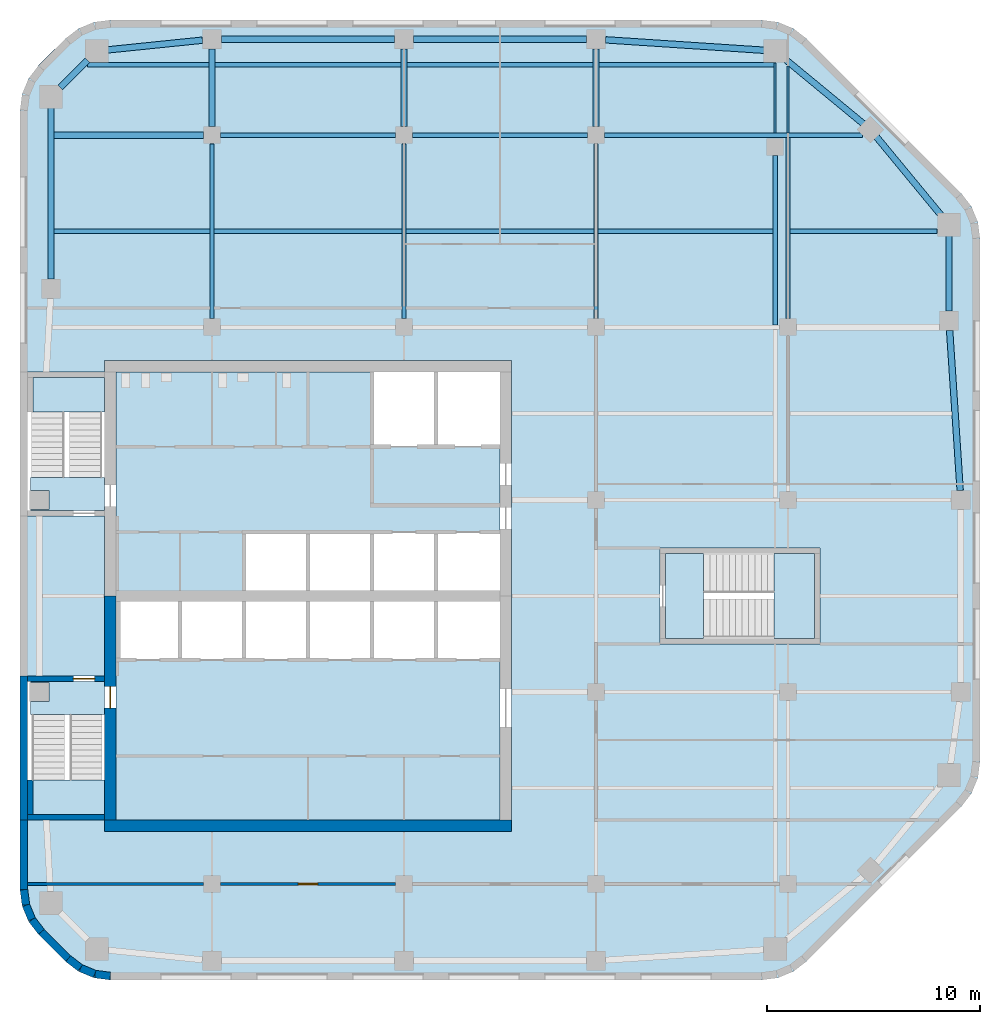
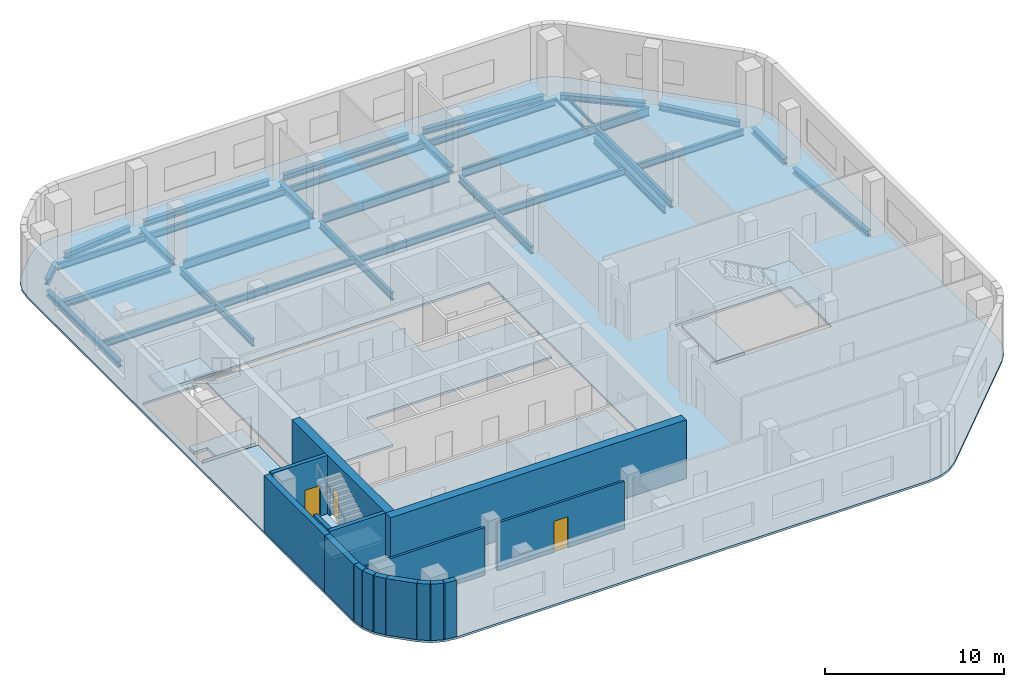
# One storey, part 2 of 8: 33 beams, 16 walls, 9 slabs, 3 doors, 3 openings, 3 elements without a shape of their own.
"""IFC4 building model written with IfcOpenShell, lengths in metres."""

from ifc_helpers import new_model, si_unit, direction, frame, frame_2d, origin, origin_2d, place, context, subcontext, project, spatial, polyline, rectangle, i_section, outline, extrude, material, layer, layer_set, material_profile, profile_set, type_object, element, fill, aggregate, save


model = new_model("IFC4")

# Units and contexts
model_context = context("Model", 3, precision=1e-05, world=origin(), true_north=direction((0.0, 1.0)))
body_context = subcontext(model_context, "Body", "Model", "MODEL_VIEW")
ifc_project = project(units=[si_unit("LENGTHUNIT", "METRE"), si_unit("AREAUNIT", "SQUARE_METRE"), si_unit("VOLUMEUNIT", "CUBIC_METRE"), si_unit("PLANEANGLEUNIT", "RADIAN"), si_unit("MASSUNIT", "GRAM", prefix="KILO")], contexts=[model_context])

# Site, building, storey
site_placement = place(None, origin())
site = spatial("IfcSite", under=ifc_project, at=site_placement, CompositionType="ELEMENT")
building_placement = place(site_placement, origin())
building = spatial("IfcBuilding", under=site, at=building_placement, Name="Cinnabar Reach Civic Tower", CompositionType="ELEMENT")
storey_placement = place(building_placement, frame((0.0, 0.0, 210.0)))
storey = spatial("IfcBuildingStorey", under=building, at=storey_placement, Name="L50", CompositionType="ELEMENT", Elevation=210.0)

# Beams
ifc_material_1 = material(Name="Steel Q355B", Category="steel")
ifc_material_profile_1 = material_profile(ifc_material_1, i_section(OverallWidth=0.3, OverallDepth=0.39, WebThickness=0.01, FlangeThickness=0.016, FilletRadius=0.013, at=origin_2d()), Name="HM390x300x10x16")
ifc_profile_set_1 = profile_set([ifc_material_profile_1], Name="Steel Q355B")
beam_type_1 = type_object("IfcBeamType", Name="HM390x300x10x16 beam R 180", PredefinedType="BEAM", material=ifc_profile_set_1)
beam_1_placement = place(storey_placement, frame((44.0702, 36.452, -0.345), z_axis=(-0.065709484267, 0.997838796438, 0.0), x_axis=(-0.997838796438, -0.065709484267, 0.0)))
element("IfcBeam", 1, at=beam_1_placement, inside=storey, type_object=beam_type_1, Name="Edge beam T1 L50 9", PredefinedType="BEAM", context=body_context, shape_type="SweptSolid", body=[
    extrude(i_section(OverallWidth=0.3, OverallDepth=0.39, WebThickness=0.01, FlangeThickness=0.016, FilletRadius=0.013, at=origin_2d()), origin(), (0.0, 0.0, 1.0), 7.5103),
])
beam_2_placement = place(storey_placement, frame((43.5469, 44.8501, -0.345), z_axis=(0.0, 1.0, 0.0), x_axis=(-1.0, 0.0, 0.0)))
element("IfcBeam", 2, at=beam_2_placement, inside=storey, type_object=beam_type_1, Name="Edge beam T1 L50 10", PredefinedType="BEAM", context=body_context, shape_type="SweptSolid", body=[
    extrude(i_section(OverallWidth=0.3, OverallDepth=0.39, WebThickness=0.01, FlangeThickness=0.016, FilletRadius=0.013, at=origin_2d()), origin(), (0.0, 0.0, 1.0), 3.616),
])
for number, where, z_axis, x_axis, name in (
    (3, (43.1906, 49.3301, -0.345), (-0.63630880182, 0.771434448755, 0.0), (-0.771434448755, -0.63630880182, 0.0), "Edge beam T1 L50 11"),
    (4, (39.5598, 53.6142, -0.345), (-0.771434448755, 0.63630880182, 0.0), (-0.63630880182, -0.771434448755, 0.0), "Edge beam T1 L50 12"),
):
    element("IfcBeam", number, at=place(storey_placement, frame(where, z_axis=z_axis, x_axis=x_axis)), inside=storey, type_object=beam_type_1, Name=name, PredefinedType="BEAM", context=body_context, shape_type="SweptSolid", body=[
        extrude(i_section(OverallWidth=0.3, OverallDepth=0.39, WebThickness=0.01, FlangeThickness=0.016, FilletRadius=0.013, at=origin_2d()), origin(), (0.0, 0.0, 1.0), 4.8348),
    ])
beam_3_placement = place(storey_placement, frame((34.9661, 57.0754, -0.345), z_axis=(-0.99783894477, 0.065707231721, 0.0), x_axis=(-0.065707231721, -0.99783894477, 0.0)))
element("IfcBeam", 5, at=beam_3_placement, inside=storey, type_object=beam_type_1, Name="Edge beam T1 L50 13", PredefinedType="BEAM", context=body_context, shape_type="SweptSolid", body=[
    extrude(i_section(OverallWidth=0.3, OverallDepth=0.39, WebThickness=0.01, FlangeThickness=0.016, FilletRadius=0.013, at=origin_2d()), origin(), (0.0, 0.0, 1.0), 7.5304),
])
for number, where, z_axis, x_axis, name in (
    (6, (26.548, 57.6, -0.345), (-1.0, 0.0, 0.0), (0.0, -1.0, 0.0), "Edge beam T1 L50 14"),
    (7, (17.548, 57.6, -0.345), (-1.0, 0.0, 0.0), (0.0, -1.0, 0.0), "Edge beam T1 L50 15"),
):
    element("IfcBeam", number, at=place(storey_placement, frame(where, z_axis=z_axis, x_axis=x_axis)), inside=storey, type_object=beam_type_1, Name=name, PredefinedType="BEAM", context=body_context, shape_type="SweptSolid", body=[
        extrude(i_section(OverallWidth=0.3, OverallDepth=0.39, WebThickness=0.01, FlangeThickness=0.016, FilletRadius=0.013, at=origin_2d()), origin(), (0.0, 0.0, 1.0), 8.096),
    ])
beam_4_placement = place(storey_placement, frame((8.548, 57.5537, -0.345), z_axis=(-0.994792272495, -0.101923179821, 0.0), x_axis=(0.101923179821, -0.994792272495, 0.0)))
element("IfcBeam", 8, at=beam_4_placement, inside=storey, type_object=beam_type_1, Name="Edge beam T1 L50 16", PredefinedType="BEAM", context=body_context, shape_type="SweptSolid", body=[
    extrude(i_section(OverallWidth=0.3, OverallDepth=0.39, WebThickness=0.01, FlangeThickness=0.016, FilletRadius=0.013, at=origin_2d()), origin(), (0.0, 0.0, 1.0), 4.5377),
])
beam_5_placement = place(storey_placement, frame((3.1699, 56.6149, -0.345), z_axis=(-0.707106781187, -0.707106781187, 0.0), x_axis=(0.707106781187, -0.707106781187, 0.0)))
element("IfcBeam", 9, at=beam_5_placement, inside=storey, type_object=beam_type_1, Name="Edge beam T1 L50 17", PredefinedType="BEAM", context=body_context, shape_type="SweptSolid", body=[
    extrude(i_section(OverallWidth=0.3, OverallDepth=0.39, WebThickness=0.01, FlangeThickness=0.016, FilletRadius=0.013, at=origin_2d()), origin(), (0.0, 0.0, 1.0), 1.817),
])
beam_6_placement = place(storey_placement, frame((1.4531, 54.4661, -0.345), z_axis=(0.0, -1.0, 0.0), x_axis=(1.0, 0.0, 0.0)))
element("IfcBeam", 10, at=beam_6_placement, inside=storey, type_object=beam_type_1, Name="Edge beam T1 L50 18", PredefinedType="BEAM", context=body_context, shape_type="SweptSolid", body=[
    extrude(i_section(OverallWidth=0.3, OverallDepth=0.39, WebThickness=0.01, FlangeThickness=0.016, FilletRadius=0.013, at=origin_2d()), origin(), (0.0, 0.0, 1.0), 8.116),
])
ifc_material_profile_2 = material_profile(ifc_material_1, i_section(OverallWidth=0.3, OverallDepth=0.44, WebThickness=0.011, FlangeThickness=0.018, FilletRadius=0.016, at=origin_2d()), Name="HM440x300x11x18")
ifc_profile_set_2 = profile_set([ifc_material_profile_2], Name="Steel Q355B")
beam_type_2 = type_object("IfcBeamType", Name="HM440x300x11x18 beam R 180", PredefinedType="BEAM", material=ifc_profile_set_2)
beam_7_placement = place(storey_placement, frame((1.6051, 53.1, -0.37), z_axis=(1.0, 0.0, 0.0), x_axis=(0.0, 1.0, 0.0)))
element("IfcBeam", 11, at=beam_7_placement, inside=storey, type_object=beam_type_2, Name="Girder T1 L50 17", PredefinedType="BEAM", context=body_context, shape_type="SweptSolid", body=[
    extrude(i_section(OverallWidth=0.3, OverallDepth=0.44, WebThickness=0.011, FlangeThickness=0.018, FilletRadius=0.016, at=origin_2d()), origin(), (0.0, 0.0, 1.0), 6.9929),
])
for number, where, z_axis, x_axis, name in (
    (12, (9.0, 53.502, -0.37), (0.0, 1.0, 0.0), (-1.0, 0.0, 0.0), "Girder T1 L50 5"),
    (13, (18.0, 53.502, -0.37), (0.0, 1.0, 0.0), (-1.0, 0.0, 0.0), "Girder T1 L50 10"),
    (14, (27.0, 53.502, -0.37), (0.0, 1.0, 0.0), (-1.0, 0.0, 0.0), "Girder T1 L50 16"),
):
    element("IfcBeam", number, at=place(storey_placement, frame(where, z_axis=z_axis, x_axis=x_axis)), inside=storey, type_object=beam_type_2, Name=name, PredefinedType="BEAM", context=body_context, shape_type="SweptSolid", body=[
        extrude(i_section(OverallWidth=0.3, OverallDepth=0.44, WebThickness=0.011, FlangeThickness=0.018, FilletRadius=0.016, at=origin_2d()), origin(), (0.0, 0.0, 1.0), 3.646),
    ])
ifc_material_profile_3 = material_profile(ifc_material_1, i_section(OverallWidth=0.099, OverallDepth=0.198, WebThickness=0.0045, FlangeThickness=0.007, FilletRadius=0.013, at=origin_2d()), Name="HN200x100x5.5x8")
ifc_profile_set_3 = profile_set([ifc_material_profile_3], Name="Steel Q355B")
beam_type_3 = type_object("IfcBeamType", Name="HN200x100x5.5x8 beam R 180", PredefinedType="BEAM", material=ifc_profile_set_3)
beam_8_placement = place(storey_placement, frame((35.3981, 53.2015, -0.249), z_axis=(0.0, 1.0, 0.0), x_axis=(-1.0, 0.0, 0.0)))
element("IfcBeam", 15, at=beam_8_placement, inside=storey, type_object=beam_type_3, Name="Girder T1 L50 23", PredefinedType="BEAM", context=body_context, shape_type="SweptSolid", body=[
    extrude(i_section(OverallWidth=0.099, OverallDepth=0.198, WebThickness=0.0045, FlangeThickness=0.007, FilletRadius=0.013, at=origin_2d()), origin(), (0.0, 0.0, 1.0), 3.2934),
])
beam_9_placement = place(storey_placement, frame((36.0, 53.2015, -0.249), z_axis=(0.0, 1.0, 0.0), x_axis=(-1.0, 0.0, 0.0)))
element("IfcBeam", 16, at=beam_9_placement, inside=storey, type_object=beam_type_3, Name="Girder T1 L50 30", PredefinedType="BEAM", context=body_context, shape_type="SweptSolid", body=[
    extrude(i_section(OverallWidth=0.099, OverallDepth=0.198, WebThickness=0.0045, FlangeThickness=0.007, FilletRadius=0.013, at=origin_2d()), origin(), (0.0, 0.0, 1.0), 3.1519),
])
ifc_material_profile_4 = material_profile(ifc_material_1, i_section(OverallWidth=0.199, OverallDepth=0.446, WebThickness=0.008, FlangeThickness=0.012, FilletRadius=0.016, at=origin_2d()), Name="HN446x199x8x12")
ifc_profile_set_4 = profile_set([ifc_material_profile_4], Name="Steel Q355B")
beam_type_4 = type_object("IfcBeamType", Name="HN446x199x8x12 beam R 180", PredefinedType="BEAM", material=ifc_profile_set_4)
beam_10_placement = place(storey_placement, frame((1.6051, 48.6, -0.373), z_axis=(1.0, 0.0, 0.0), x_axis=(0.0, 1.0, 0.0)))
element("IfcBeam", 17, at=beam_10_placement, inside=storey, type_object=beam_type_4, Name="Secondary beam T1 L50 11", PredefinedType="BEAM", context=body_context, shape_type="SweptSolid", body=[
    extrude(i_section(OverallWidth=0.199, OverallDepth=0.446, WebThickness=0.008, FlangeThickness=0.012, FilletRadius=0.016, at=origin_2d()), origin(), (0.0, 0.0, 1.0), 7.2929),
])
for number, where, z_axis, x_axis, name in (
    (18, (9.102, 48.6, -0.373), (1.0, 0.0, 0.0), (0.0, 1.0, 0.0), "Secondary beam T1 L50 12"),
    (19, (18.102, 48.6, -0.373), (1.0, 0.0, 0.0), (0.0, 1.0, 0.0), "Secondary beam T1 L50 13"),
):
    element("IfcBeam", number, at=place(storey_placement, frame(where, z_axis=z_axis, x_axis=x_axis)), inside=storey, type_object=beam_type_4, Name=name, PredefinedType="BEAM", context=body_context, shape_type="SweptSolid", body=[
        extrude(i_section(OverallWidth=0.199, OverallDepth=0.446, WebThickness=0.008, FlangeThickness=0.012, FilletRadius=0.016, at=origin_2d()), origin(), (0.0, 0.0, 1.0), 8.796),
    ])
beam_11_placement = place(storey_placement, frame((27.102, 48.6, -0.373), z_axis=(1.0, 0.0, 0.0), x_axis=(0.0, 1.0, 0.0)))
element("IfcBeam", 20, at=beam_11_placement, inside=storey, type_object=beam_type_4, Name="Secondary beam T1 L50 14", PredefinedType="BEAM", context=body_context, shape_type="SweptSolid", body=[
    extrude(i_section(OverallWidth=0.199, OverallDepth=0.446, WebThickness=0.008, FlangeThickness=0.012, FilletRadius=0.016, at=origin_2d()), origin(), (0.0, 0.0, 1.0), 8.1941),
])
beam_12_placement = place(storey_placement, frame((36.102, 48.6, -0.373), z_axis=(1.0, 0.0, 0.0), x_axis=(0.0, 1.0, 0.0)))
element("IfcBeam", 21, at=beam_12_placement, inside=storey, type_object=beam_type_4, Name="Secondary beam T1 L50 15", PredefinedType="BEAM", context=body_context, shape_type="SweptSolid", body=[
    extrude(i_section(OverallWidth=0.199, OverallDepth=0.446, WebThickness=0.008, FlangeThickness=0.012, FilletRadius=0.016, at=origin_2d()), origin(), (0.0, 0.0, 1.0), 6.8929),
])
beam_13_placement = place(storey_placement, frame((3.17, 56.4, -0.373), z_axis=(1.0, 0.0, 0.0), x_axis=(0.0, 1.0, 0.0)))
element("IfcBeam", 22, at=beam_13_placement, inside=storey, type_object=beam_type_4, Name="Secondary beam T1 L50 16", PredefinedType="BEAM", context=body_context, shape_type="SweptSolid", body=[
    extrude(i_section(OverallWidth=0.199, OverallDepth=0.446, WebThickness=0.008, FlangeThickness=0.012, FilletRadius=0.016, at=origin_2d()), origin(), (0.0, 0.0, 1.0), 5.678),
])
for number, where, z_axis, x_axis, name in (
    (23, (9.152, 56.4, -0.373), (1.0, 0.0, 0.0), (0.0, 1.0, 0.0), "Secondary beam T1 L50 17"),
    (24, (18.152, 56.4, -0.373), (1.0, 0.0, 0.0), (0.0, 1.0, 0.0), "Secondary beam T1 L50 18"),
):
    element("IfcBeam", number, at=place(storey_placement, frame(where, z_axis=z_axis, x_axis=x_axis)), inside=storey, type_object=beam_type_4, Name=name, PredefinedType="BEAM", context=body_context, shape_type="SweptSolid", body=[
        extrude(i_section(OverallWidth=0.199, OverallDepth=0.446, WebThickness=0.008, FlangeThickness=0.012, FilletRadius=0.016, at=origin_2d()), origin(), (0.0, 0.0, 1.0), 8.696),
    ])
beam_14_placement = place(storey_placement, frame((27.152, 56.4, -0.373), z_axis=(1.0, 0.0, 0.0), x_axis=(0.0, 1.0, 0.0)))
element("IfcBeam", 25, at=beam_14_placement, inside=storey, type_object=beam_type_4, Name="Secondary beam T1 L50 19", PredefinedType="BEAM", context=body_context, shape_type="SweptSolid", body=[
    extrude(i_section(OverallWidth=0.199, OverallDepth=0.446, WebThickness=0.008, FlangeThickness=0.012, FilletRadius=0.016, at=origin_2d()), origin(), (0.0, 0.0, 1.0), 8.1946),
])
ifc_material_profile_5 = material_profile(ifc_material_1, i_section(OverallWidth=0.2, OverallDepth=0.5, WebThickness=0.01, FlangeThickness=0.016, FilletRadius=0.016, at=origin_2d()), Name="HN500x200x10x16")
ifc_profile_set_5 = profile_set([ifc_material_profile_5], Name="Steel Q355B")
beam_type_5 = type_object("IfcBeamType", Name="HN500x200x10x16 beam R 180", PredefinedType="BEAM", material=ifc_profile_set_5)
for number, where, z_axis, x_axis, name in (
    (26, (9.0, 44.502, -0.4), (0.0, 1.0, 0.0), (-1.0, 0.0, 0.0), "Girder T1 L50 4"),
    (27, (18.0, 44.502, -0.4), (0.0, 1.0, 0.0), (-1.0, 0.0, 0.0), "Girder T1 L50 9"),
    (28, (27.0, 44.502, -0.4), (0.0, 1.0, 0.0), (-1.0, 0.0, 0.0), "Girder T1 L50 15"),
):
    element("IfcBeam", number, at=place(storey_placement, frame(where, z_axis=z_axis, x_axis=x_axis)), inside=storey, type_object=beam_type_5, Name=name, PredefinedType="BEAM", context=body_context, shape_type="SweptSolid", body=[
        extrude(i_section(OverallWidth=0.2, OverallDepth=0.5, WebThickness=0.01, FlangeThickness=0.016, FilletRadius=0.016, at=origin_2d()), origin(), (0.0, 0.0, 1.0), 8.196),
    ])
beam_15_placement = place(storey_placement, frame((35.3981, 44.2015, -0.4), z_axis=(0.0, 1.0, 0.0), x_axis=(-1.0, 0.0, 0.0)))
element("IfcBeam", 29, at=beam_15_placement, inside=storey, type_object=beam_type_5, Name="Girder T1 L50 22", PredefinedType="BEAM", context=body_context, shape_type="SweptSolid", body=[
    extrude(i_section(OverallWidth=0.2, OverallDepth=0.5, WebThickness=0.01, FlangeThickness=0.016, FilletRadius=0.016, at=origin_2d()), origin(), (0.0, 0.0, 1.0), 7.9434),
])
beam_16_placement = place(storey_placement, frame((36.0, 44.502, -0.4), z_axis=(0.0, 1.0, 0.0), x_axis=(-1.0, 0.0, 0.0)))
element("IfcBeam", 30, at=beam_16_placement, inside=storey, type_object=beam_type_5, Name="Girder T1 L50 29", PredefinedType="BEAM", context=body_context, shape_type="SweptSolid", body=[
    extrude(i_section(OverallWidth=0.2, OverallDepth=0.5, WebThickness=0.01, FlangeThickness=0.016, FilletRadius=0.016, at=origin_2d()), origin(), (0.0, 0.0, 1.0), 8.4965),
])
ifc_material_profile_6 = material_profile(ifc_material_1, i_section(OverallWidth=0.199, OverallDepth=0.596, WebThickness=0.01, FlangeThickness=0.015, FilletRadius=0.016, at=origin_2d()), Name="HN596x199x10x15")
ifc_profile_set_6 = profile_set([ifc_material_profile_6], Name="Steel Q355B")
beam_type_6 = type_object("IfcBeamType", Name="HN596x199x10x15 beam R 180", PredefinedType="BEAM", material=ifc_profile_set_6)
for number, where, z_axis, x_axis, name in (
    (31, (9.402, 53.1, -0.448), (1.0, 0.0, 0.0), (0.0, 1.0, 0.0), "Girder T1 L50 18"),
    (32, (18.402, 53.1, -0.448), (1.0, 0.0, 0.0), (0.0, 1.0, 0.0), "Girder T1 L50 19"),
):
    element("IfcBeam", number, at=place(storey_placement, frame(where, z_axis=z_axis, x_axis=x_axis)), inside=storey, type_object=beam_type_6, Name=name, PredefinedType="BEAM", context=body_context, shape_type="SweptSolid", body=[
        extrude(i_section(OverallWidth=0.199, OverallDepth=0.596, WebThickness=0.01, FlangeThickness=0.015, FilletRadius=0.016, at=origin_2d()), origin(), (0.0, 0.0, 1.0), 8.196),
    ])
beam_17_placement = place(storey_placement, frame((27.402, 53.1, -0.448), z_axis=(1.0, 0.0, 0.0), x_axis=(0.0, 1.0, 0.0)))
element("IfcBeam", 33, at=beam_17_placement, inside=storey, type_object=beam_type_6, Name="Girder T1 L50 20", PredefinedType="BEAM", context=body_context, shape_type="SweptSolid", body=[
    extrude(i_section(OverallWidth=0.199, OverallDepth=0.596, WebThickness=0.01, FlangeThickness=0.015, FilletRadius=0.016, at=origin_2d()), origin(), (0.0, 0.0, 1.0), 12.086),
])

# Slab
ifc_material_2 = material(Name="Concrete C40", Category="concrete")
ifc_layer_1 = layer(ifc_material_2, 0.15)
ifc_layer_set_1 = layer_set([ifc_layer_1], Name="Composite floor slab 150 REI 150")
slab_type_1 = type_object("IfcSlabType", Name="Composite floor slab 150 REI 150", PredefinedType="FLOOR", material=ifc_layer_set_1)
slab_1_placement = place(storey_placement, frame((0.0, 0.0, -0.15)))
element("IfcSlab", 34, at=slab_1_placement, inside=storey, type_object=slab_type_1, Name="Composite floor slab 150 T1 L50", PredefinedType="FLOOR", context=body_context, shape_type="SweptSolid", body=[
    extrude(outline(polyline([(0.8787, 15.6213), (0.4019, 16.2426), (0.1022, 16.9662), (0.0, 17.7426), (0.0, 54.2574), (0.1022, 55.0338), (0.4019, 55.7574), (0.8787, 56.3787), (2.1213, 57.6213), (2.7426, 58.0981), (3.4662, 58.3978), (4.2426, 58.5), (34.7574, 58.5), (35.5338, 58.3978), (36.2574, 58.0981), (36.8787, 57.6213), (44.1213, 50.3787), (44.5981, 49.7574), (44.8978, 49.0338), (45.0, 48.2574), (45.0, 23.7426), (44.8978, 22.9662), (44.5981, 22.2426), (44.1213, 21.6213), (36.8787, 14.3787), (36.2574, 13.9019), (35.5338, 13.6022), (34.7574, 13.5), (4.2426, 13.5), (3.4662, 13.6022), (2.7426, 13.9019), (2.1213, 14.3787), (0.8787, 15.6213)]), holes=[polyline([(0.36, 21.0), (3.95, 21.0), (3.95, 20.45), (23.05, 20.45), (23.05, 42.55), (3.95, 42.55), (3.95, 42.0), (0.36, 42.0), (0.36, 35.25), (3.95, 35.25), (3.95, 27.75), (0.36, 27.75), (0.36, 21.0)]), polyline([(30.0, 33.75), (30.0, 29.25), (37.5, 29.25), (37.5, 33.75), (30.0, 33.75)])]), origin(), (0.0, 0.0, 1.0), 0.15),
])

# Stair, slabs
ifc_material_3 = material(Name="Concrete C40/50", Category="concrete")
stair_type = type_object("IfcStairType", Name="T1 Exit stair, half-turn", PredefinedType="HALF_TURN_STAIR", material=ifc_material_3)
stair_1_placement = place(storey_placement, origin())
stair_1 = element("IfcStair", 35, at=stair_1_placement, inside=storey, type_object=stair_type, Name="Stair T1-S1", PredefinedType="HALF_TURN_STAIR")
ifc_layer_2 = layer(ifc_material_3, 0.2)
ifc_layer_set_2 = layer_set([ifc_layer_2], Name="T1 Stair landing 200, Concrete C40/50")
slab_type_2 = type_object("IfcSlabType", Name="T1 Stair landing 200, Concrete C40/50", PredefinedType="LANDING", material=ifc_layer_set_2)
slab_2_placement = place(storey_placement, frame((0.0, 0.0, -0.2)))
slab_2 = element("IfcSlab", 36, at=slab_2_placement, type_object=slab_type_2, Name="T1-S1 landing 1", PredefinedType="LANDING", context=body_context, shape_type="SweptSolid", body=[
    extrude(outline(polyline([(0.5, 27.5), (3.95, 27.5), (3.95, 25.95), (0.5, 25.95), (0.5, 26.55), (1.35, 26.55), (1.35, 27.45), (0.5, 27.45), (0.5, 27.5)])), origin(), (0.0, 0.0, 1.0), 0.2),
])
slab_3_placement = place(storey_placement, frame((0.0, 0.0, 1.8)))
slab_3 = element("IfcSlab", 37, at=slab_3_placement, type_object=slab_type_2, Name="T1-S1 landing 2", PredefinedType="LANDING", context=body_context, shape_type="SweptSolid", body=[
    extrude(outline(polyline([(0.6, 21.25), (0.6, 22.87), (3.95, 22.87), (3.95, 21.25), (0.6, 21.25)])), origin(), (0.0, 0.0, 1.0), 0.2),
])
aggregate(stair_1, [slab_2, slab_3])

stair_2_placement = place(storey_placement, origin())
stair_2 = element("IfcStair", 38, at=stair_2_placement, inside=storey, type_object=stair_type, Name="Stair T1-S2", PredefinedType="HALF_TURN_STAIR")
slab_4_placement = place(storey_placement, frame((0.0, 0.0, -0.2)))
slab_4 = element("IfcSlab", 39, at=slab_4_placement, type_object=slab_type_2, Name="T1-S2 landing 1", PredefinedType="LANDING", context=body_context, shape_type="SweptSolid", body=[
    extrude(outline(polyline([(0.5, 37.05), (3.95, 37.05), (3.95, 35.5), (0.5, 35.5), (0.5, 35.55), (1.35, 35.55), (1.35, 36.45), (0.5, 36.45), (0.5, 37.05)])), origin(), (0.0, 0.0, 1.0), 0.2),
])
slab_5_placement = place(storey_placement, frame((0.0, 0.0, 1.8)))
slab_5 = element("IfcSlab", 40, at=slab_5_placement, type_object=slab_type_2, Name="T1-S2 landing 2", PredefinedType="LANDING", context=body_context, shape_type="SweptSolid", body=[
    extrude(outline(polyline([(0.6, 40.13), (0.6, 41.75), (3.95, 41.75), (3.95, 40.13), (0.6, 40.13)])), origin(), (0.0, 0.0, 1.0), 0.2),
])
aggregate(stair_2, [slab_4, slab_5])

stair_3_placement = place(storey_placement, origin())
stair_3 = element("IfcStair", 41, at=stair_3_placement, inside=storey, type_object=stair_type, Name="Stair T1-S3", PredefinedType="HALF_TURN_STAIR")
slab_6_placement = place(storey_placement, frame((0.0, 0.0, -0.2)))
slab_6 = element("IfcSlab", 42, at=slab_6_placement, type_object=slab_type_2, Name="T1-S3 landing 1", PredefinedType="LANDING", context=body_context, shape_type="SweptSolid", body=[
    extrude(outline(polyline([(30.25, 29.5), (32.05, 29.5), (32.05, 33.5), (30.25, 33.5), (30.25, 29.5)])), origin(), (0.0, 0.0, 1.0), 0.2),
])
slab_7_placement = place(storey_placement, frame((0.0, 0.0, 1.8)))
slab_7 = element("IfcSlab", 43, at=slab_7_placement, type_object=slab_type_2, Name="T1-S3 landing 2", PredefinedType="LANDING", context=body_context, shape_type="SweptSolid", body=[
    extrude(outline(polyline([(35.35, 29.5), (37.25, 29.5), (37.25, 33.5), (35.35, 33.5), (35.35, 29.5)])), origin(), (0.0, 0.0, 1.0), 0.2),
])
aggregate(stair_3, [slab_6, slab_7])

# Slabs
ifc_layer_3 = layer(ifc_material_3, 0.15)
ifc_layer_set_3 = layer_set([ifc_layer_3], Name="T1 core floor slab 150")
slab_type_3 = type_object("IfcSlabType", Name="T1 core floor slab 150", PredefinedType="FLOOR", material=ifc_layer_set_3)
slab_8_placement = place(storey_placement, frame((0.0, 0.0, -0.15)))
element("IfcSlab", 44, at=slab_8_placement, inside=storey, type_object=slab_type_3, Name="Core floor slab L50", PredefinedType="FLOOR", context=body_context, shape_type="SweptSolid", body=[
    extrude(outline(polyline([(22.5, 21.0), (4.5, 21.0), (4.5, 28.5), (7.5, 28.5), (10.5, 28.5), (13.5, 28.5), (16.5, 28.5), (19.5, 28.5), (22.5, 28.5), (22.5, 21.0)])), origin(), (0.0, 0.0, 1.0), 0.15),
])
slab_9_placement = place(storey_placement, frame((0.0, 0.0, -0.15)))
element("IfcSlab", 45, at=slab_9_placement, inside=storey, type_object=slab_type_3, Name="Core floor slab L50", PredefinedType="FLOOR", context=body_context, shape_type="SweptSolid", body=[
    extrude(outline(polyline([(22.5, 34.5), (19.5, 34.5), (16.5, 34.5), (13.5, 34.5), (10.5, 34.5), (10.5, 31.5), (7.5, 31.5), (4.5, 31.5), (4.5, 42.0), (16.5, 42.0), (16.5, 38.5), (19.5, 38.5), (22.5, 38.5), (22.5, 34.5)])), origin(), (0.0, 0.0, 1.0), 0.15),
])

# Walls
ifc_material_4 = material(Name="Facing brick with insulated backing", Category="masonry")
ifc_layer_4 = layer(ifc_material_4, 0.36)
ifc_layer_set_4 = layer_set([ifc_layer_4], Name="Brick corner wall")
wall_type_1 = type_object("IfcWallType", Name="Brick corner wall", PredefinedType="STANDARD", material=ifc_layer_set_4)
for number, where, z_axis, x_axis, name in (
    (46, (0.183, 17.7314, 0.0), (0.0, 0.0, 1.0), (0.13055608231, -0.99144092581, 0.0), "Brick corner wall"),
    (47, (0.2819, 17.0027, 0.0), (0.0, 0.0, 1.0), (0.382702709855, -0.923871547278, 0.0), "Brick corner wall"),
):
    element("IfcWall", number, at=place(storey_placement, frame(where, z_axis=z_axis, x_axis=x_axis)), inside=storey, type_object=wall_type_1, Name=name, PredefinedType="STANDARD", context=body_context, shape_type="SweptSolid", body=[
        extrude(rectangle(XDim=0.7131, YDim=0.36, at=frame_2d((0.3565, 0.0))), origin(), (0.0, 0.0, 1.0), 3.85),
    ])
for number, where, z_axis, x_axis, name in (
    (48, (0.566, 16.3245, 0.0), (0.0, 0.0, 1.0), (0.608802368033, -0.793321924995, 0.0), "Brick corner wall"),
    (49, (2.2587, 14.5002, 0.0), (0.0, 0.0, 1.0), (0.793321924995, -0.608802368033, 0.0), "Brick corner wall"),
):
    element("IfcWall", number, at=place(storey_placement, frame(where, z_axis=z_axis, x_axis=x_axis)), inside=storey, type_object=wall_type_1, Name=name, PredefinedType="STANDARD", context=body_context, shape_type="SweptSolid", body=[
        extrude(rectangle(XDim=0.7132, YDim=0.36, at=frame_2d((0.3566, 0.0))), origin(), (0.0, 0.0, 1.0), 3.85),
    ])
for number, where, z_axis, x_axis, name in (
    (50, (2.8439, 14.0548, 0.0), (0.0, 0.0, 1.0), (0.923871547278, -0.382702709855, 0.0), "Brick corner wall"),
    (51, (3.5244, 13.7761, 0.0), (0.0, 0.0, 1.0), (0.99144092581, -0.13055608231, 0.0), "Brick corner wall"),
):
    element("IfcWall", number, at=place(storey_placement, frame(where, z_axis=z_axis, x_axis=x_axis)), inside=storey, type_object=wall_type_1, Name=name, PredefinedType="STANDARD", context=body_context, shape_type="SweptSolid", body=[
        extrude(rectangle(XDim=0.7131, YDim=0.36, at=frame_2d((0.3565, 0.0))), origin(), (0.0, 0.0, 1.0), 3.85),
    ])
ifc_layer_5 = layer(ifc_material_4, 0.36)
ifc_layer_set_5 = layer_set([ifc_layer_5], Name="Brick pier and spandrel wall")
wall_type_2 = type_object("IfcWallType", Name="Brick pier and spandrel wall", PredefinedType="STANDARD", material=ifc_layer_set_5)
wall_1_placement = place(storey_placement, frame((0.18, 27.75, 0.0), z_axis=(0.0, 0.0, 1.0), x_axis=(0.0, -1.0, 0.0)))
element("IfcWall", 52, at=wall_1_placement, inside=storey, type_object=wall_type_2, Name="Brick facade wall", PredefinedType="STANDARD", context=body_context, shape_type="SweptSolid", body=[
    extrude(rectangle(XDim=6.75, YDim=0.36, at=frame_2d((3.375, 0.0))), origin(), (0.0, 0.0, 1.0), 3.85),
])
wall_2_placement = place(storey_placement, frame((0.18, 21.0, 0.0), z_axis=(0.0, 0.0, 1.0), x_axis=(0.0, -1.0, 0.0)))
element("IfcWall", 53, at=wall_2_placement, inside=storey, type_object=wall_type_2, Name="Brick facade wall", PredefinedType="STANDARD", context=body_context, shape_type="SweptSolid", body=[
    extrude(rectangle(XDim=3.2574, YDim=0.36, at=frame_2d((1.6287, 0.0))), origin(), (0.0, 0.0, 1.0), 3.85),
])
wall_3_placement = place(storey_placement, frame((1.006, 15.7486, 0.0), z_axis=(0.0, 0.0, 1.0), x_axis=(0.707106781187, -0.707106781187, 0.0)))
element("IfcWall", 54, at=wall_3_placement, inside=storey, type_object=wall_type_2, Name="Brick facade wall", PredefinedType="STANDARD", context=body_context, shape_type="SweptSolid", body=[
    extrude(rectangle(XDim=1.7573, YDim=0.36, at=frame_2d((0.8787, 0.0))), origin(), (0.0, 0.0, 1.0), 3.85),
])
ifc_material_5 = material(Name="Concrete C60", Category="concrete")
ifc_layer_6 = layer(ifc_material_5, 0.55)
ifc_layer_set_6 = layer_set([ifc_layer_6], Name="Core wall 550 EI 180")
wall_type_3 = type_object("IfcWallType", Name="Core wall 550 EI 180", PredefinedType="SOLIDWALL", material=ifc_layer_set_6)
wall_4_placement = place(storey_placement, frame((3.95, 20.725, 0.0), z_axis=(0.0, 0.0, 1.0), x_axis=(1.0, 0.0, 0.0)))
element("IfcWall", 55, at=wall_4_placement, inside=storey, type_object=wall_type_3, Name="Core wall T1 L50 S", PredefinedType="SOLIDWALL", context=body_context, shape_type="SweptSolid", body=[
    extrude(rectangle(XDim=19.1, YDim=0.55, at=frame_2d((9.55, 0.0))), origin(), (0.0, 0.0, 1.0), 4.0),
])

# Wall, opening, door
wall_5_placement = place(storey_placement, frame((4.225, 31.5, 0.0), z_axis=(0.0, 0.0, 1.0), x_axis=(0.0, -1.0, 0.0)))
wall_5 = element("IfcWall", 56, at=wall_5_placement, inside=storey, type_object=wall_type_3, Name="Core wall T1 L50 W2", PredefinedType="SOLIDWALL", context=body_context, shape_type="SweptSolid", body=[
    extrude(rectangle(XDim=10.5, YDim=0.55, at=frame_2d((5.25, 0.0))), origin(), (0.0, 0.0, 1.0), 4.0),
])
opening_1_placement = place(wall_5_placement, frame((4.25, 0.0, 0.0)))
opening_1 = element("IfcOpeningElement", 57, at=opening_1_placement, cuts=wall_5, Name="Opening D5032", PredefinedType="OPENING", context=body_context, shape_type="SweptSolid", body=[
    extrude(rectangle(XDim=1.0, YDim=2.1, at=frame_2d((0.5, 1.05))), frame((0.0, 0.285, 0.0), z_axis=(0.0, -1.0, 0.0), x_axis=(1.0, 0.0, 0.0)), (0.0, 0.0, 1.0), 0.57),
])
ifc_material_6 = material(Name="Timber door leaf in steel frame", Category="steel")
door_type_1 = type_object("IfcDoorType", Name="Stair door 1000 x 2100 T1", OperationType="SINGLE_SWING_LEFT", PredefinedType="DOOR", material=ifc_material_6)
door_1_placement = place(opening_1_placement, frame((1.0, 0.0, 0.0), z_axis=(0.0, 0.0, 1.0), x_axis=(-1.0, 0.0, 0.0)))
door_1 = element("IfcDoor", 58, at=door_1_placement, inside=storey, type_object=door_type_1, Name="Door D5032", OperationType="SINGLE_SWING_RIGHT", OverallHeight=2.1, OverallWidth=1.0, PredefinedType="DOOR", context=body_context, shape_type="SweptSolid", body=[
    extrude(rectangle(XDim=1.0, YDim=2.1, at=frame_2d((0.5, 1.05))), frame((0.0, 0.025, 0.0), z_axis=(0.0, -1.0, 0.0), x_axis=(1.0, 0.0, 0.0)), (0.0, 0.0, 1.0), 0.05),
])
fill(opening_1, door_1)

ifc_material_7 = material(Name="Gypsum board on steel studs, double layer", Category="steel")
ifc_layer_7 = layer(ifc_material_7, 0.15)
ifc_layer_set_7 = layer_set([ifc_layer_7], Name="Corridor wall 150 T1")
wall_type_4 = type_object("IfcWallType", Name="Corridor wall 150 T1", PredefinedType="PARTITIONING", material=ifc_layer_set_7)
wall_6_placement = place(storey_placement, frame((9.4, 18.0, 0.0), z_axis=(0.0, 0.0, 1.0), x_axis=(1.0, 0.0, 0.0)))
wall_6 = element("IfcWall", 59, at=wall_6_placement, inside=storey, type_object=wall_type_4, Name="Corridor wall 21", PredefinedType="PARTITIONING", context=body_context, shape_type="SweptSolid", body=[
    extrude(rectangle(XDim=8.2, YDim=0.15, at=frame_2d((4.1, 0.0))), origin(), (0.0, 0.0, 1.0), 3.254),
])
opening_2_placement = place(wall_6_placement, frame((3.65, 0.0, 0.0)))
opening_2 = element("IfcOpeningElement", 60, at=opening_2_placement, cuts=wall_6, Name="Opening D5064", PredefinedType="OPENING", context=body_context, shape_type="SweptSolid", body=[
    extrude(rectangle(XDim=0.9, YDim=2.1, at=frame_2d((0.45, 1.05))), frame((0.0, 0.085, 0.0), z_axis=(0.0, -1.0, 0.0), x_axis=(1.0, 0.0, 0.0)), (0.0, 0.0, 1.0), 0.17),
])
door_type_2 = type_object("IfcDoorType", Name="Single swing door 900 x 2100 corridor T1", OperationType="SINGLE_SWING_LEFT", PredefinedType="DOOR", material=ifc_material_6)
door_2_placement = place(opening_2_placement, frame((0.9, 0.0, 0.0), z_axis=(0.0, 0.0, 1.0), x_axis=(-1.0, 0.0, 0.0)))
door_2 = element("IfcDoor", 61, at=door_2_placement, inside=storey, type_object=door_type_2, Name="Door D5064", OperationType="SINGLE_SWING_LEFT", OverallHeight=2.1, OverallWidth=0.9, PredefinedType="DOOR", context=body_context, shape_type="SweptSolid", body=[
    extrude(rectangle(XDim=0.9, YDim=2.1, at=frame_2d((0.45, 1.05))), frame((0.0, 0.025, 0.0), z_axis=(0.0, -1.0, 0.0), x_axis=(1.0, 0.0, 0.0)), (0.0, 0.0, 1.0), 0.05),
])
fill(opening_2, door_2)

# Walls
wall_7_placement = place(storey_placement, frame((0.36, 18.0, 0.0), z_axis=(0.0, 0.0, 1.0), x_axis=(1.0, 0.0, 0.0)))
element("IfcWall", 62, at=wall_7_placement, inside=storey, type_object=wall_type_4, Name="Corridor wall 22", PredefinedType="PARTITIONING", context=body_context, shape_type="SweptSolid", body=[
    extrude(rectangle(XDim=8.24, YDim=0.15, at=frame_2d((4.12, 0.0))), origin(), (0.0, 0.0, 1.0), 3.254),
])
ifc_layer_8 = layer(ifc_material_5, 0.25)
ifc_layer_set_8 = layer_set([ifc_layer_8], Name="Stair shaft wall 250 EI 120")
wall_type_5 = type_object("IfcWallType", Name="Stair shaft wall 250 EI 120", PredefinedType="SOLIDWALL", material=ifc_layer_set_8)
wall_8_placement = place(storey_placement, frame((0.36, 21.125, 0.0), z_axis=(0.0, 0.0, 1.0), x_axis=(1.0, 0.0, 0.0)))
element("IfcWall", 63, at=wall_8_placement, inside=storey, type_object=wall_type_5, Name="Stair shaft wall T1-S1 L50", PredefinedType="SOLIDWALL", context=body_context, shape_type="SweptSolid", body=[
    extrude(rectangle(XDim=3.59, YDim=0.25, at=frame_2d((1.795, 0.0))), origin(), (0.0, 0.0, 1.0), 4.0),
])

# Wall, opening, door
wall_9_placement = place(storey_placement, frame((3.95, 27.625, 0.0), z_axis=(0.0, 0.0, 1.0), x_axis=(-1.0, 0.0, 0.0)))
wall_9 = element("IfcWall", 64, at=wall_9_placement, inside=storey, type_object=wall_type_5, Name="Stair shaft wall T1-S1 L50", PredefinedType="SOLIDWALL", context=body_context, shape_type="SweptSolid", body=[
    extrude(rectangle(XDim=3.59, YDim=0.25, at=frame_2d((1.795, 0.0))), origin(), (0.0, 0.0, 1.0), 4.0),
])
opening_3_placement = place(wall_9_placement, frame((0.45, 0.0, 0.0)))
opening_3 = element("IfcOpeningElement", 65, at=opening_3_placement, cuts=wall_9, Name="Opening D5033", PredefinedType="OPENING", context=body_context, shape_type="SweptSolid", body=[
    extrude(rectangle(XDim=1.0, YDim=2.1, at=frame_2d((0.5, 1.05))), frame((0.0, 0.135, 0.0), z_axis=(0.0, -1.0, 0.0), x_axis=(1.0, 0.0, 0.0)), (0.0, 0.0, 1.0), 0.27),
])
door_3_placement = place(opening_3_placement, origin())
door_3 = element("IfcDoor", 66, at=door_3_placement, inside=storey, type_object=door_type_1, Name="Door D5033", OperationType="SINGLE_SWING_LEFT", OverallHeight=2.1, OverallWidth=1.0, PredefinedType="DOOR", context=body_context, shape_type="SweptSolid", body=[
    extrude(rectangle(XDim=1.0, YDim=2.1, at=frame_2d((0.5, 1.05))), frame((0.0, 0.025, 0.0), z_axis=(0.0, -1.0, 0.0), x_axis=(1.0, 0.0, 0.0)), (0.0, 0.0, 1.0), 0.05),
])
fill(opening_3, door_3)

# Wall
ifc_layer_9 = layer(ifc_material_3, 0.24)
ifc_layer_set_9 = layer_set([ifc_layer_9], Name="T1 landing bearer wall 240")
wall_type_6 = type_object("IfcWallType", Name="T1 landing bearer wall 240", PredefinedType="STANDARD", material=ifc_layer_set_9)
wall_10_placement = place(storey_placement, frame((0.48, 21.25, 0.0), z_axis=(0.0, 0.0, 1.0), x_axis=(0.0, 1.0, 0.0)))
element("IfcWall", 67, at=wall_10_placement, inside=storey, type_object=wall_type_6, Name="T1-S1 landing bearer wall", PredefinedType="STANDARD", context=body_context, shape_type="SweptSolid", body=[
    extrude(rectangle(XDim=1.62, YDim=0.24, at=frame_2d((0.81, 0.0))), origin(), (0.0, 0.0, 1.0), 4.0),
])

save(model, "model.ifc")
